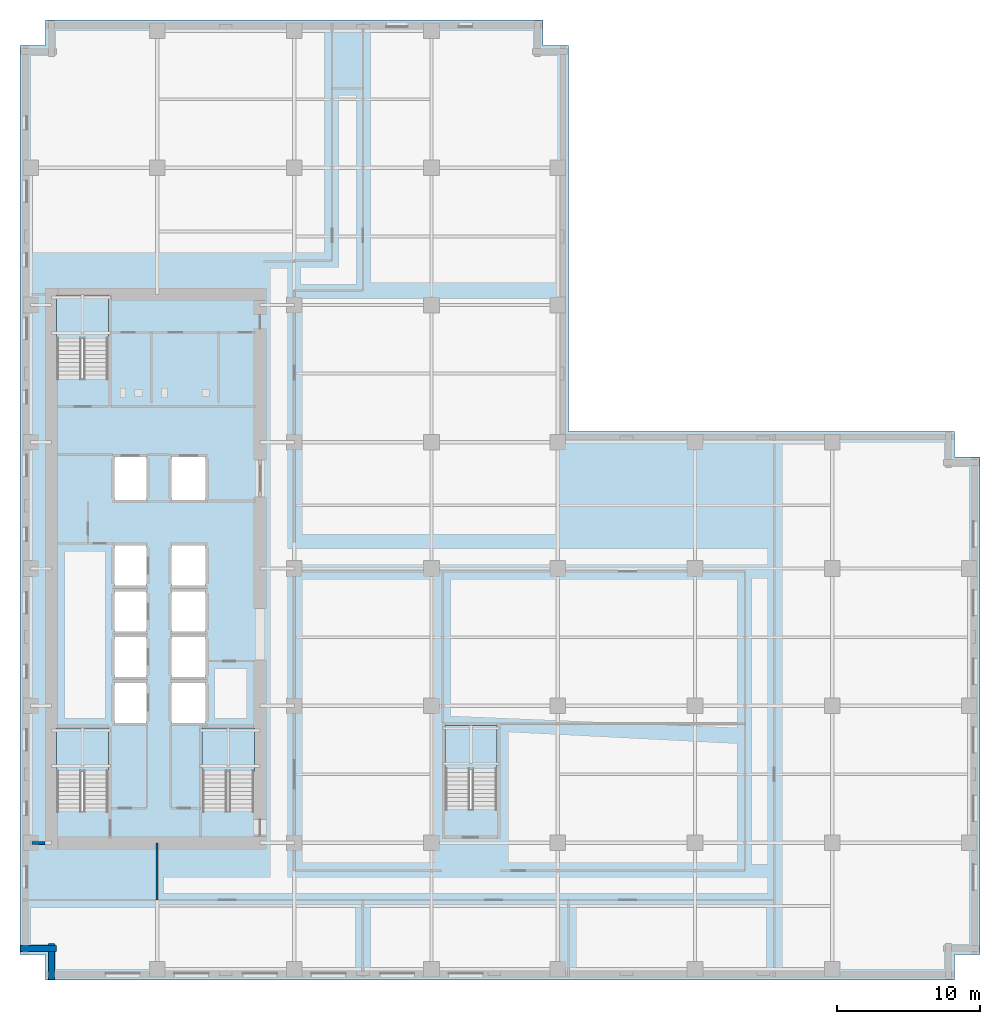
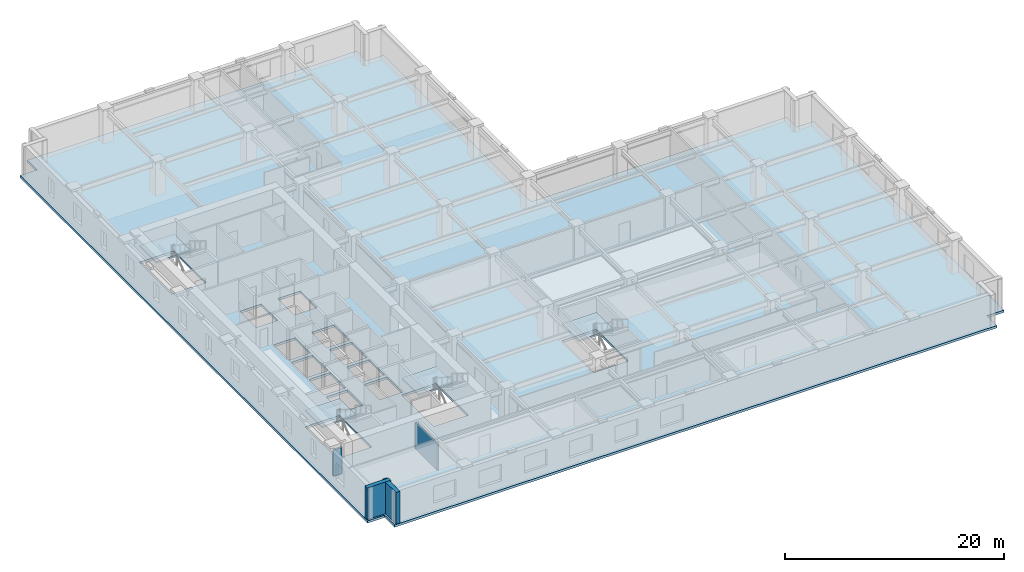
# One storey, part 3 of 13: 5 slabs, 4 walls, 4 elements without a shape of their own.
"""IFC4 building model written with IfcOpenShell, lengths in metres."""

import ifcopenshell
import ifcopenshell.guid

model = None  # the IFC model being written
_history = None  # IfcOwnerHistory: only IFC2X3 demands one
_inside = {}  # id of a spatial element -> (the spatial element, [elements in it])
_under = {}  # id of a project, library or spatial element -> (it, [spatial elements below it])
_declared = {}  # id of a project -> (the project, [libraries it declares])
_typed = {}  # id of a type object -> (the type object, [elements of that type])
_made_of = {}  # id of a material, layer set ... -> (it, [elements and type objects made of it])


def new_model(schema):
    """Start an empty IFC model of exactly this schema.

    Asked for "IFC4X3", IfcOpenShell would pick the latest addendum, in which some entities
    have other attributes; the version numbers below select the first issue.
    IFC2X3 requires an IfcOwnerHistory on every rooted entity: one is made here for all.
    """
    global model, _history
    if schema == "IFC4X3":
        model = ifcopenshell.file(schema_version=(4, 3, 0, 0))
    else:
        model = ifcopenshell.file(schema=schema)
    _inside.clear()
    _under.clear()
    _declared.clear()
    _typed.clear()
    _made_of.clear()
    _history = None
    if model.schema == "IFC2X3":
        org = make("IfcOrganization", Name="unknown")
        user = make(
            "IfcPersonAndOrganization",
            ThePerson=make("IfcPerson", FamilyName="unknown"),
            TheOrganization=org,
        )
        app = make(
            "IfcApplication",
            ApplicationDeveloper=org,
            Version="unknown",
            ApplicationFullName="unknown",
            ApplicationIdentifier="unknown",
        )
        _history = make(
            "IfcOwnerHistory",
            OwningUser=user,
            OwningApplication=app,
            ChangeAction="ADDED",
            CreationDate=0,
        )
    return model


def make(cls, **values):
    """One entity of the class cls with the attributes given. An attribute that is None is left unset."""
    return model.create_entity(
        cls, **{name: value for name, value in values.items() if value is not None}
    )


def rooted(cls, **values):
    """An entity with a GlobalId (a new one), such as an element, a storey or a relation."""
    return make(cls, GlobalId=ifcopenshell.guid.new(), OwnerHistory=_history, **values)


def si_unit(unit_type, name, prefix=None):
    """IfcSIUnit, for example si_unit("LENGTHUNIT", "METRE", prefix="MILLI")."""
    return make("IfcSIUnit", UnitType=unit_type, Prefix=prefix, Name=name)


def assignment(units):
    """IfcUnitAssignment: the units of a project."""
    return None if units is None else make("IfcUnitAssignment", Units=units)


def point(xyz):
    """IfcCartesianPoint."""
    return None if xyz is None else make("IfcCartesianPoint", Coordinates=xyz)


def direction(xyz):
    """IfcDirection."""
    return None if xyz is None else make("IfcDirection", DirectionRatios=xyz)


def frame(location, z_axis=None, x_axis=None):
    """IfcAxis2Placement3D, a coordinate frame: its origin and axes. An axis left out is left unset."""
    return make(
        "IfcAxis2Placement3D",
        Location=point(location),
        Axis=direction(z_axis),
        RefDirection=direction(x_axis),
    )


def frame_2d(location, x_axis=None):
    """IfcAxis2Placement2D, a coordinate frame in the plane: its origin and x axis."""
    return make(
        "IfcAxis2Placement2D", Location=point(location), RefDirection=direction(x_axis)
    )


def origin():
    """The frame at (0, 0, 0) with its axes left unset."""
    return frame((0.0, 0.0, 0.0))


def place(relative_to, where):
    """IfcLocalPlacement: puts the frame where relative to a parent placement (None: the world)."""
    return make(
        "IfcLocalPlacement", PlacementRelTo=relative_to, RelativePlacement=where
    )


def context(
    kind, dimensions, precision=None, world=None, true_north=None, identifier=None
):
    """IfcGeometricRepresentationContext, for example the 3D "Model" context."""
    return make(
        "IfcGeometricRepresentationContext",
        ContextIdentifier=identifier,
        ContextType=kind,
        CoordinateSpaceDimension=dimensions,
        Precision=precision,
        WorldCoordinateSystem=world,
        TrueNorth=true_north,
    )


def subcontext(parent, identifier, kind, view, scale=None):
    """IfcGeometricRepresentationSubContext, for example "Body" below "Model"."""
    return make(
        "IfcGeometricRepresentationSubContext",
        ContextIdentifier=identifier,
        ContextType=kind,
        ParentContext=parent,
        TargetScale=scale,
        TargetView=view,
    )


def project(units=None, contexts=None):
    """IfcProject with its units and contexts."""
    return rooted(
        "IfcProject",
        Name="project",
        RepresentationContexts=contexts,
        UnitsInContext=assignment(units),
    )


def spatial(cls, under=None, at=None, **own):
    """A site, building, storey or space (cls), placed at a placement, below another one or the project."""
    s = rooted(cls, ObjectPlacement=at, **own)
    if under is not None:
        _under.setdefault(under.id(), (under, []))[1].append(s)
    return s


def polyline(points):
    """IfcPolyline through the points."""
    return make("IfcPolyline", Points=[point(p) for p in points])


def profile(cls, at=None, kind="AREA", **sizes):
    """A parametric profile (cls). Its sizes go by their IFC names, for example OverallWidth=200.0."""
    return make(cls, ProfileType=kind, Position=at, **sizes)


def rectangle(**sizes):
    """IfcRectangleProfileDef."""
    return profile("IfcRectangleProfileDef", **sizes)


def outline(outer, holes=None, kind="AREA"):
    """IfcArbitraryClosedProfileDef: a profile drawn as a closed curve; with holes, ...WithVoids."""
    if holes is None:
        return make("IfcArbitraryClosedProfileDef", ProfileType=kind, OuterCurve=outer)
    return make(
        "IfcArbitraryProfileDefWithVoids",
        ProfileType=kind,
        OuterCurve=outer,
        InnerCurves=holes,
    )


def extrude(swept, where, along, depth):
    """IfcExtrudedAreaSolid: the profile swept, set in the frame where, extruded along a direction by depth."""
    return make(
        "IfcExtrudedAreaSolid",
        SweptArea=swept,
        Position=where,
        ExtrudedDirection=direction(along),
        Depth=depth,
    )


def shape(context_of_items, identifier, shape_type, items):
    """IfcShapeRepresentation: the items that make up one representation, for example the "Body"."""
    return make(
        "IfcShapeRepresentation",
        ContextOfItems=context_of_items,
        RepresentationIdentifier=identifier,
        RepresentationType=shape_type,
        Items=items,
    )


def material(Name=None, Category=None):
    """IfcMaterial."""
    return make("IfcMaterial", Name=Name, Category=Category)


def layer(
    of_material, thickness, ventilated=None, Name=None, Category=None, Priority=None
):
    """IfcMaterialLayer: one layer of a wall or slab, of a material (None: an air gap)."""
    return make(
        "IfcMaterialLayer",
        Material=of_material,
        LayerThickness=thickness,
        IsVentilated=ventilated,
        Name=Name,
        Category=Category,
        Priority=Priority,
    )


def layer_set(layers, Name=None):
    """IfcMaterialLayerSet."""
    return make("IfcMaterialLayerSet", MaterialLayers=layers, LayerSetName=Name)


def made_of(thing, what):
    """Note that an element or type object is made of a material, layer set ...; save() writes the relation."""
    if what is not None:
        _made_of.setdefault(what.id(), (what, []))[1].append(thing)
    return thing


def type_object(cls, material=None, **own):
    """A type object (cls), such as IfcWallType, which elements share."""
    return made_of(rooted(cls, **own), material)


def element(
    cls,
    number,
    at=None,
    inside=None,
    cuts=None,
    type_object=None,
    material=None,
    context=None,
    identifier="Body",
    shape_type=None,
    held_by="IfcProductDefinitionShape",
    body=None,
    shapes=None,
    **own,
):
    """One element of the class cls, such as IfcWall. Its Tag is "e" and its number.

    at: its placement. inside: the storey or other place that contains it. cuts: it is an
    opening in that element (IfcRelVoidsElement). A single representation is given by context,
    identifier, shape_type and body (its items); several are given by shapes. held_by: the class
    of the entity that holds the representations. save() writes the other relations.
    """
    e = rooted(cls, Tag="e%d" % number, ObjectPlacement=at, **own)
    if body is not None:
        shapes = [shape(context, identifier, shape_type, body)]
    if shapes is not None:
        e.Representation = make(held_by, Representations=shapes)
    if inside is not None:
        _inside.setdefault(inside.id(), (inside, []))[1].append(e)
    if cuts is not None:
        rooted(
            "IfcRelVoidsElement", RelatingBuildingElement=cuts, RelatedOpeningElement=e
        )
    if type_object is not None:
        _typed.setdefault(type_object.id(), (type_object, []))[1].append(e)
    return made_of(e, material)


def aggregate(whole, parts):
    """IfcRelAggregates: a whole, such as a stair, and the parts it consists of."""
    return rooted("IfcRelAggregates", RelatingObject=whole, RelatedObjects=parts)


def save(model, path):
    """Write the relations noted so far, then the file.

    IfcRelAggregates (storeys below a building ...), IfcRelContainedInSpatialStructure (elements
    in a storey), IfcRelDefinesByType, IfcRelAssociatesMaterial and IfcRelDeclares: one each for
    every whole, place, type object, material and project.
    """
    for whole, parts in _under.values():
        aggregate(whole, parts)
    for where, things in _inside.values():
        rooted(
            "IfcRelContainedInSpatialStructure",
            RelatedElements=things,
            RelatingStructure=where,
        )
    for kind, things in _typed.values():
        rooted("IfcRelDefinesByType", RelatedObjects=things, RelatingType=kind)
    for what, things in _made_of.values():
        rooted("IfcRelAssociatesMaterial", RelatedObjects=things, RelatingMaterial=what)
    for by, libraries in _declared.values():
        rooted("IfcRelDeclares", RelatingContext=by, RelatedDefinitions=libraries)
    model.write(path)


model = new_model("IFC4")

# Units and contexts
model_context = context("Model", 3, precision=1e-05, world=origin(), true_north=direction((0.0, 1.0)))
body_context = subcontext(model_context, "Body", "Model", "MODEL_VIEW")
ifc_project = project(units=[si_unit("LENGTHUNIT", "METRE"), si_unit("AREAUNIT", "SQUARE_METRE"), si_unit("VOLUMEUNIT", "CUBIC_METRE"), si_unit("PLANEANGLEUNIT", "RADIAN"), si_unit("MASSUNIT", "GRAM", prefix="KILO")], contexts=[model_context])

# Site, building, storey
site_placement = place(None, origin())
site = spatial("IfcSite", under=ifc_project, at=site_placement, CompositionType="ELEMENT")
building_placement = place(site_placement, origin())
building = spatial("IfcBuilding", under=site, at=building_placement, Name="Norrvale University Quadrangle", CompositionType="ELEMENT")
storey_placement = place(building_placement, frame((0.0, 0.0, 66.0)))
storey = spatial("IfcBuildingStorey", under=building, at=storey_placement, Name="L16", CompositionType="ELEMENT", Elevation=66.0)

# Stair, slab
ifc_material_1 = material(Name="Concrete C40/50", Category="concrete")
stair_type = type_object("IfcStairType", Name="Stair Tower Typ 3800", PredefinedType="TWO_STRAIGHT_RUN_STAIR", material=ifc_material_1)
stair_1_placement = place(storey_placement, origin())
stair_1 = element("IfcStair", 1, at=stair_1_placement, inside=storey, type_object=stair_type, Name="Exit Stair ST-01 L16", PredefinedType="TWO_STRAIGHT_RUN_STAIR")
ifc_layer_1 = layer(ifc_material_1, 0.199951171875, Name="Concrete C40/50")
ifc_layer_set_1 = layer_set([ifc_layer_1], Name="Concrete C40/50")
slab_type_1 = type_object("IfcSlabType", Name="Slab Landing 200", PredefinedType="LANDING", material=ifc_layer_set_1)
slab_1_placement = place(storey_placement, frame((0.0, 0.0, 1.699951171875)))
slab_1 = element("IfcSlab", 2, at=slab_1_placement, type_object=slab_type_1, Name="Exit Stair ST-01 L16 Mid Landing", PredefinedType="LANDING", context=body_context, shape_type="SweptSolid", body=[
    extrude(outline(polyline([(2.550048828125, 14.590087890625), (6.199951171875, 14.590087890625), (6.199951171875, 17.64990234375), (2.550048828125, 17.64990234375), (2.550048828125, 14.590087890625)])), origin(), (0.0, 0.0, 1.0), 0.199951171875),
])
aggregate(stair_1, [slab_1])

stair_2_placement = place(storey_placement, origin())
stair_2 = element("IfcStair", 3, at=stair_2_placement, inside=storey, type_object=stair_type, Name="Exit Stair ST-02 L16", PredefinedType="TWO_STRAIGHT_RUN_STAIR")
slab_2_placement = place(storey_placement, frame((0.0, 0.0, 1.699951171875)))
slab_2 = element("IfcSlab", 4, at=slab_2_placement, type_object=slab_type_1, Name="Exit Stair ST-02 L16 Mid Landing", PredefinedType="LANDING", context=body_context, shape_type="SweptSolid", body=[
    extrude(outline(polyline([(2.550048828125, 44.889892578125), (6.199951171875, 44.889892578125), (6.199951171875, 47.949951171875), (2.550048828125, 47.949951171875), (2.550048828125, 44.889892578125)])), origin(), (0.0, 0.0, 1.0), 0.199951171875),
])
aggregate(stair_2, [slab_2])

stair_3_placement = place(storey_placement, origin())
stair_3 = element("IfcStair", 5, at=stair_3_placement, inside=storey, type_object=stair_type, Name="Exit Stair ST-03 L16", PredefinedType="TWO_STRAIGHT_RUN_STAIR")
slab_3_placement = place(storey_placement, frame((0.0, 0.0, 1.699951171875)))
slab_3 = element("IfcSlab", 6, at=slab_3_placement, type_object=slab_type_1, Name="Exit Stair ST-03 L16 Mid Landing", PredefinedType="LANDING", context=body_context, shape_type="SweptSolid", body=[
    extrude(outline(polyline([(12.75, 14.590087890625), (16.39990234375, 14.590087890625), (16.39990234375, 17.64990234375), (12.75, 17.64990234375), (12.75, 14.590087890625)])), origin(), (0.0, 0.0, 1.0), 0.199951171875),
])
aggregate(stair_3, [slab_3])

stair_4_placement = place(storey_placement, origin())
stair_4 = element("IfcStair", 7, at=stair_4_placement, inside=storey, type_object=stair_type, Name="Exit Stair ST-04 L16", PredefinedType="TWO_STRAIGHT_RUN_STAIR")
slab_4_placement = place(storey_placement, frame((0.0, 0.0, 1.699951171875)))
slab_4 = element("IfcSlab", 8, at=slab_4_placement, type_object=slab_type_1, Name="Exit Stair ST-04 L16 Mid Landing", PredefinedType="LANDING", context=body_context, shape_type="SweptSolid", body=[
    extrude(outline(polyline([(29.75, 14.739990234375), (33.39990234375, 14.739990234375), (33.39990234375, 17.800048828125), (29.75, 17.800048828125), (29.75, 14.739990234375)])), origin(), (0.0, 0.0, 1.0), 0.199951171875),
])
aggregate(stair_4, [slab_4])

# Slab
ifc_layer_2 = layer(ifc_material_1, 0.260009765625, Name="Concrete C40/50")
ifc_layer_set_2 = layer_set([ifc_layer_2], Name="Concrete C40/50")
slab_type_2 = type_object("IfcSlabType", Name="Slab Tower Typ 260", PredefinedType="FLOOR", material=ifc_layer_set_2)
slab_5_placement = place(storey_placement, frame((0.0, 0.0, -0.260009765625)))
element("IfcSlab", 9, at=slab_5_placement, inside=storey, type_object=slab_type_2, Name="Tower L16 Floor Slab", PredefinedType="FLOOR", context=body_context, shape_type="SweptSolid", body=[
    extrude(outline(polyline([(1.800048828125, 0.0), (65.39990234375, 0.0), (65.39990234375, 1.800048828125), (67.199951171875, 1.800048828125), (67.199951171875, 36.60009765625), (65.39990234375, 36.60009765625), (65.39990234375, 38.39990234375), (38.39990234375, 38.39990234375), (38.39990234375, 65.39990234375), (36.60009765625, 65.39990234375), (36.60009765625, 67.199951171875), (1.800048828125, 67.199951171875), (1.800048828125, 65.39990234375), (0.0, 65.39990234375), (0.0, 1.800048828125), (1.800048828125, 1.800048828125), (1.800048828125, 0.0)]), holes=[polyline([(2.550048828125, 11.81005859375), (6.199951171875, 11.81005859375), (6.199951171875, 17.64990234375), (2.550048828125, 17.64990234375), (2.550048828125, 11.81005859375)]), polyline([(2.550048828125, 42.110107421875), (6.199951171875, 42.110107421875), (6.199951171875, 47.949951171875), (2.550048828125, 47.949951171875), (2.550048828125, 42.110107421875)]), polyline([(12.75, 11.81005859375), (16.39990234375, 11.81005859375), (16.39990234375, 17.64990234375), (12.75, 17.64990234375), (12.75, 11.81005859375)]), polyline([(29.75, 11.9599609375), (33.39990234375, 11.9599609375), (33.39990234375, 17.800048828125), (29.75, 17.800048828125), (29.75, 11.9599609375)]), polyline([(6.60009765625, 18.0), (8.85009765625, 18.0), (8.85009765625, 20.800048828125), (6.60009765625, 20.800048828125), (6.60009765625, 18.0)]), polyline([(6.60009765625, 21.199951171875), (8.85009765625, 21.199951171875), (8.85009765625, 24.0), (6.60009765625, 24.0), (6.60009765625, 21.199951171875)]), polyline([(6.60009765625, 24.39990234375), (8.85009765625, 24.39990234375), (8.85009765625, 27.199951171875), (6.60009765625, 27.199951171875), (6.60009765625, 24.39990234375)]), polyline([(6.60009765625, 27.60009765625), (8.85009765625, 27.60009765625), (8.85009765625, 30.39990234375), (6.60009765625, 30.39990234375), (6.60009765625, 27.60009765625)]), polyline([(10.60009765625, 18.0), (13.0, 18.0), (13.0, 20.800048828125), (10.60009765625, 20.800048828125), (10.60009765625, 18.0)]), polyline([(10.60009765625, 21.199951171875), (13.0, 21.199951171875), (13.0, 24.0), (10.60009765625, 24.0), (10.60009765625, 21.199951171875)]), polyline([(10.60009765625, 24.39990234375), (13.0, 24.39990234375), (13.0, 27.199951171875), (10.60009765625, 27.199951171875), (10.60009765625, 24.39990234375)]), polyline([(10.60009765625, 27.60009765625), (13.0, 27.60009765625), (13.0, 30.39990234375), (10.60009765625, 30.39990234375), (10.60009765625, 27.60009765625)]), polyline([(6.60009765625, 33.60009765625), (8.85009765625, 33.60009765625), (8.85009765625, 36.60009765625), (6.60009765625, 36.60009765625), (6.60009765625, 33.60009765625)]), polyline([(10.60009765625, 33.60009765625), (13.0, 33.60009765625), (13.0, 36.60009765625), (10.60009765625, 36.60009765625), (10.60009765625, 33.60009765625)])]), origin(), (0.0, 0.0, 1.0), 0.260009765625),
])

# Walls
ifc_material_2 = material(Name="Buff Norman Clay Brick Masonry", Category="masonry")
ifc_layer_3 = layer(ifc_material_2, 0.419921875, Name="Buff Norman Clay Brick Masonry")
ifc_layer_set_3 = layer_set([ifc_layer_3], Name="Buff Norman Clay Brick Masonry")
wall_type_1 = type_object("IfcWallType", Name="Wall Buff Brick 420", PredefinedType="SOLIDWALL", material=ifc_layer_set_3)
for number, where, z_axis, x_axis, name in (
    (10, (0.0400390625, 2.18994140625, 0.0), (0.0, 0.0, 1.0), (1.0, 0.0, 0.0), "Exterior Brick Facade Wall L16-15.1"),
    (11, (2.18994140625, 2.5400390625, 0.0), (0.0, 0.0, 1.0), (0.0, -1.0, 0.0), "Exterior Brick Facade Wall L16-16.1"),
):
    element("IfcWall", number, at=place(storey_placement, frame(where, z_axis=z_axis, x_axis=x_axis)), inside=storey, type_object=wall_type_1, Name=name, PredefinedType="SOLIDWALL", context=body_context, shape_type="SweptSolid", body=[
        extrude(rectangle(XDim=2.5, YDim=0.419921875, at=frame_2d((1.25, 0.0))), origin(), (0.0, 0.0, 1.0), 3.5400390625),
    ])
ifc_material_3 = material(Name="Fire-Rated Gypsum Stud Partition")
ifc_layer_4 = layer(ifc_material_3, 0.14990234375, Name="Fire-Rated Gypsum Stud Partition")
ifc_layer_set_4 = layer_set([ifc_layer_4], Name="Fire-Rated Gypsum Stud Partition")
wall_type_2 = type_object("IfcWallType", Name="Wall Gypsum Corridor 150", PredefinedType="PARTITIONING", material=ifc_layer_set_4)
wall_1_placement = place(storey_placement, frame((9.60009765625, 5.60009765625, 0.0), z_axis=(0.0, 0.0, 1.0), x_axis=(0.0, 1.0, 0.0)))
element("IfcWall", 12, at=wall_1_placement, inside=storey, type_object=wall_type_2, Name="Interior Partition WL-L16-CSW-END", PredefinedType="PARTITIONING", context=body_context, shape_type="SweptSolid", body=[
    extrude(rectangle(XDim=4.0, YDim=0.14990234375, at=frame_2d((2.0, 0.0))), origin(), (0.0, 0.0, 1.0), 2.923095703125),
])
ifc_material_4 = material(Name="Concrete Blockwork 20 MPa Rated Wall", Category="masonry")
ifc_layer_5 = layer(ifc_material_4, 0.199951171875, Name="Concrete Blockwork 20 MPa Rated Wall")
ifc_layer_set_5 = layer_set([ifc_layer_5], Name="Concrete Blockwork 20 MPa Rated Wall")
wall_type_3 = type_object("IfcWallType", Name="Wall Lobby 200", PredefinedType="SOLIDWALL", material=ifc_layer_set_5)
wall_2_placement = place(storey_placement, frame((0.85009765625, 9.60009765625, 0.0), z_axis=(0.0, 0.0, 1.0), x_axis=(1.0, 0.0, 0.0)))
element("IfcWall", 13, at=wall_2_placement, inside=storey, type_object=wall_type_3, Name="Interior Partition WL-L16-CWRET-S", PredefinedType="SOLIDWALL", context=body_context, shape_type="SweptSolid", body=[
    extrude(rectangle(XDim=0.89501953125, YDim=0.199951171875, at=frame_2d((0.447509765625, 0.0))), origin(), (0.0, 0.0, 1.0), 2.923095703125),
])

save(model, "model.ifc")
